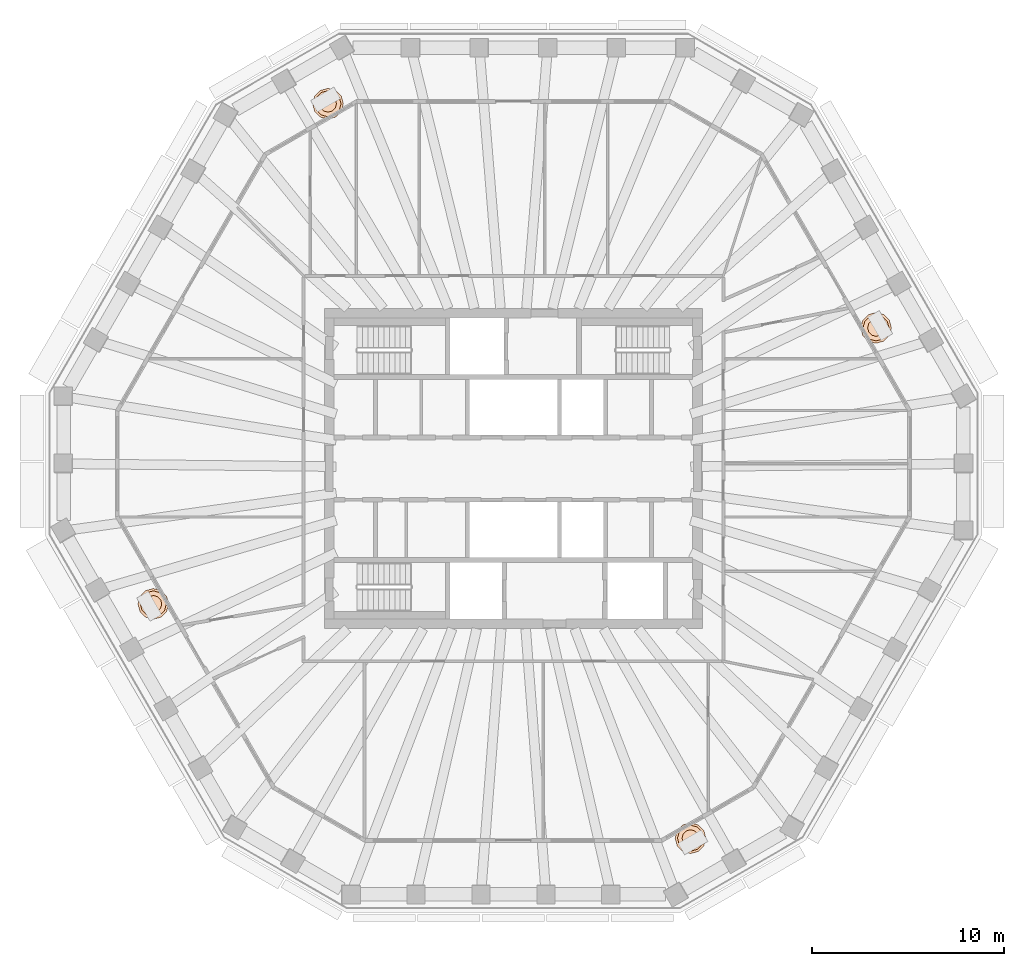
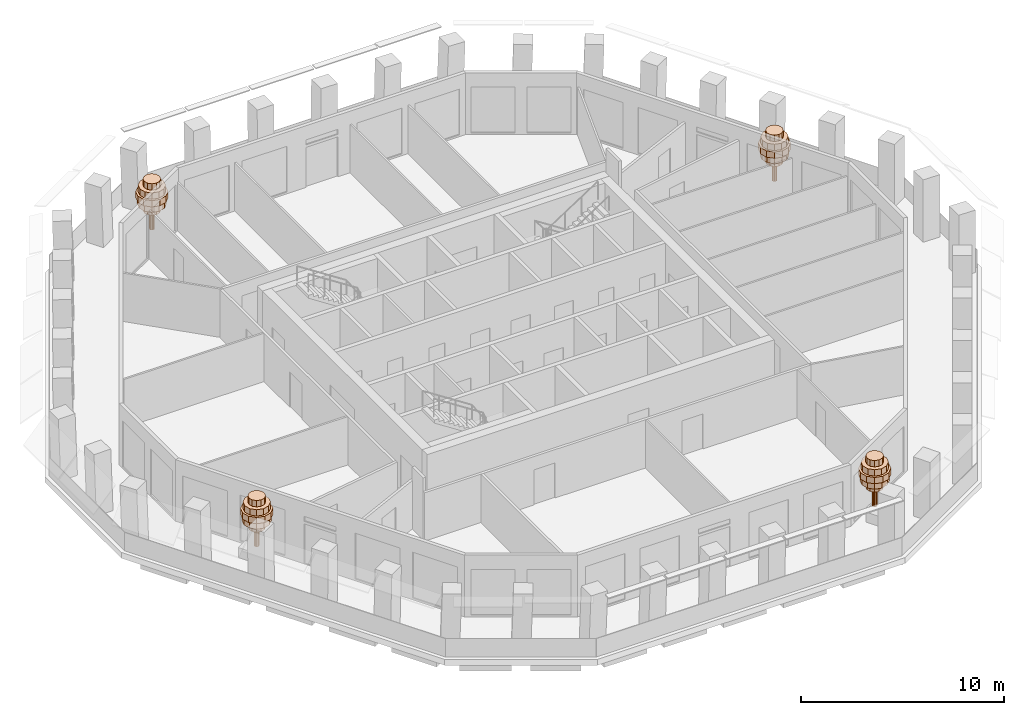
# One storey, part 12 of 12: 4 geographic elements.
"""IFC4 building model written with IfcOpenShell, lengths in metres."""

from ifc_helpers import new_model, si_unit, direction, frame, origin, place, context, subcontext, project, spatial, polyline, outline, extrude, material, type_object, element, save


model = new_model("IFC4")

# Units and contexts
model_context = context("Model", 3, precision=1e-05, world=origin(), true_north=direction((0.0, 1.0)))
body_context = subcontext(model_context, "Body", "Model", "MODEL_VIEW")
ifc_project = project(units=[si_unit("LENGTHUNIT", "METRE"), si_unit("AREAUNIT", "SQUARE_METRE"), si_unit("VOLUMEUNIT", "CUBIC_METRE"), si_unit("PLANEANGLEUNIT", "RADIAN"), si_unit("MASSUNIT", "GRAM", prefix="KILO")], contexts=[model_context])

# Site, building, storey
site_placement = place(None, origin())
site = spatial("IfcSite", under=ifc_project, at=site_placement, CompositionType="ELEMENT")
building_placement = place(site_placement, origin())
building = spatial("IfcBuilding", under=site, at=building_placement, Name="Frailejon Research Tower", CompositionType="ELEMENT")
storey_placement = place(building_placement, frame((0.0, 0.0, 271.0)))
storey = spatial("IfcBuildingStorey", under=building, at=storey_placement, Name="L59", CompositionType="ELEMENT", Elevation=271.0)

# Geographic elements
ifc_material = material(Name="Foliage, green")
geographic_element_type = type_object("IfcGeographicElementType", Name="Frailejon tree, loggia", PredefinedType="USERDEFINED", material=ifc_material)
geographic_element_1_placement = place(storey_placement, frame((18.9169921875, 7.33740234375, 0.60009765625)))
element("IfcGeographicElement", 1, at=geographic_element_1_placement, inside=storey, type_object=geographic_element_type, Name="Tree L59", ObjectType="TREE", PredefinedType="USERDEFINED", context=body_context, shape_type="SweptSolid", body=[
    extrude(outline(polyline([(0.1298828125, 0.0), (0.112548828125, 0.06494140625), (0.06494140625, 0.112548828125), (0.0, 0.1298828125), (-0.06494140625, 0.112548828125), (-0.112548828125, 0.06494140625), (-0.1298828125, 0.0), (-0.112548828125, -0.06494140625), (-0.06494140625, -0.112548828125), (0.0, -0.1298828125), (0.06494140625, -0.112548828125), (0.112548828125, -0.06494140625), (0.1298828125, 0.0)])), origin(), (0.0, 0.0, 1.0), 2.239990234375),
    extrude(outline(polyline([(0.43994140625, 0.0), (0.381103515625, 0.219970703125), (0.219970703125, 0.381103515625), (0.0, 0.43994140625), (-0.219970703125, 0.381103515625), (-0.381103515625, 0.219970703125), (-0.43994140625, 0.0), (-0.381103515625, -0.219970703125), (-0.219970703125, -0.381103515625), (0.0, -0.43994140625), (0.219970703125, -0.381103515625), (0.381103515625, -0.219970703125), (0.43994140625, 0.0)])), frame((0.0, 0.0, 1.10009765625)), (0.0, 0.0, 1.0), 0.3798828125),
    extrude(outline(polyline([(0.719970703125, 0.0), (0.62353515625, 0.360107421875), (0.360107421875, 0.62353515625), (0.0, 0.719970703125), (-0.360107421875, 0.62353515625), (-0.62353515625, 0.360107421875), (-0.719970703125, 0.0), (-0.62353515625, -0.360107421875), (-0.360107421875, -0.62353515625), (0.0, -0.719970703125), (0.360107421875, -0.62353515625), (0.62353515625, -0.360107421875), (0.719970703125, 0.0)])), frame((0.0, 0.0, 1.47998046875)), (0.0, 0.0, 1.0), 0.3798828125),
    extrude(outline(polyline([(0.800048828125, 0.0), (0.69287109375, 0.39990234375), (0.39990234375, 0.69287109375), (0.0, 0.800048828125), (-0.39990234375, 0.69287109375), (-0.69287109375, 0.39990234375), (-0.800048828125, 0.0), (-0.69287109375, -0.39990234375), (-0.39990234375, -0.69287109375), (0.0, -0.800048828125), (0.39990234375, -0.69287109375), (0.69287109375, -0.39990234375), (0.800048828125, 0.0)])), frame((0.0, 0.0, 1.860107421875)), (0.0, 0.0, 1.0), 0.3798828125),
    extrude(outline(polyline([(0.679931640625, 0.0), (0.5888671875, 0.340087890625), (0.340087890625, 0.5888671875), (0.0, 0.679931640625), (-0.340087890625, 0.5888671875), (-0.5888671875, 0.340087890625), (-0.679931640625, 0.0), (-0.5888671875, -0.340087890625), (-0.340087890625, -0.5888671875), (0.0, -0.679931640625), (0.340087890625, -0.5888671875), (0.5888671875, -0.340087890625), (0.679931640625, 0.0)])), frame((0.0, 0.0, 2.239990234375)), (0.0, 0.0, 1.0), 0.3798828125),
    extrude(outline(polyline([(0.43994140625, 0.0), (0.381103515625, 0.219970703125), (0.219970703125, 0.381103515625), (0.0, 0.43994140625), (-0.219970703125, 0.381103515625), (-0.381103515625, 0.219970703125), (-0.43994140625, 0.0), (-0.381103515625, -0.219970703125), (-0.219970703125, -0.381103515625), (0.0, -0.43994140625), (0.219970703125, -0.381103515625), (0.381103515625, -0.219970703125), (0.43994140625, 0.0)])), frame((0.0, 0.0, 2.6201171875)), (0.0, 0.0, 1.0), 0.3798828125),
])
geographic_element_2_placement = place(storey_placement, frame((-9.674072265625, 19.03173828125, 0.60009765625)))
element("IfcGeographicElement", 2, at=geographic_element_2_placement, inside=storey, type_object=geographic_element_type, Name="Tree L59", ObjectType="TREE", PredefinedType="USERDEFINED", context=body_context, shape_type="SweptSolid", body=[
    extrude(outline(polyline([(0.1298828125, 0.0), (0.112548828125, 0.06494140625), (0.06494140625, 0.112548828125), (0.0, 0.1298828125), (-0.06494140625, 0.112548828125), (-0.112548828125, 0.06494140625), (-0.1298828125, 0.0), (-0.112548828125, -0.06494140625), (-0.06494140625, -0.112548828125), (0.0, -0.1298828125), (0.06494140625, -0.112548828125), (0.112548828125, -0.06494140625), (0.1298828125, 0.0)])), origin(), (0.0, 0.0, 1.0), 2.239990234375),
    extrude(outline(polyline([(0.43994140625, 0.0), (0.381103515625, 0.219970703125), (0.219970703125, 0.381103515625), (0.0, 0.43994140625), (-0.219970703125, 0.381103515625), (-0.381103515625, 0.219970703125), (-0.43994140625, 0.0), (-0.381103515625, -0.219970703125), (-0.219970703125, -0.381103515625), (0.0, -0.43994140625), (0.219970703125, -0.381103515625), (0.381103515625, -0.219970703125), (0.43994140625, 0.0)])), frame((0.0, 0.0, 1.10009765625)), (0.0, 0.0, 1.0), 0.3798828125),
    extrude(outline(polyline([(0.719970703125, 0.0), (0.62353515625, 0.360107421875), (0.360107421875, 0.62353515625), (0.0, 0.719970703125), (-0.360107421875, 0.62353515625), (-0.62353515625, 0.360107421875), (-0.719970703125, 0.0), (-0.62353515625, -0.360107421875), (-0.360107421875, -0.62353515625), (0.0, -0.719970703125), (0.360107421875, -0.62353515625), (0.62353515625, -0.360107421875), (0.719970703125, 0.0)])), frame((0.0, 0.0, 1.47998046875)), (0.0, 0.0, 1.0), 0.3798828125),
    extrude(outline(polyline([(0.800048828125, 0.0), (0.69287109375, 0.39990234375), (0.39990234375, 0.69287109375), (0.0, 0.800048828125), (-0.39990234375, 0.69287109375), (-0.69287109375, 0.39990234375), (-0.800048828125, 0.0), (-0.69287109375, -0.39990234375), (-0.39990234375, -0.69287109375), (0.0, -0.800048828125), (0.39990234375, -0.69287109375), (0.69287109375, -0.39990234375), (0.800048828125, 0.0)])), frame((0.0, 0.0, 1.860107421875)), (0.0, 0.0, 1.0), 0.3798828125),
    extrude(outline(polyline([(0.679931640625, 0.0), (0.5888671875, 0.340087890625), (0.340087890625, 0.5888671875), (0.0, 0.679931640625), (-0.340087890625, 0.5888671875), (-0.5888671875, 0.340087890625), (-0.679931640625, 0.0), (-0.5888671875, -0.340087890625), (-0.340087890625, -0.5888671875), (0.0, -0.679931640625), (0.340087890625, -0.5888671875), (0.5888671875, -0.340087890625), (0.679931640625, 0.0)])), frame((0.0, 0.0, 2.239990234375)), (0.0, 0.0, 1.0), 0.3798828125),
    extrude(outline(polyline([(0.43994140625, 0.0), (0.381103515625, 0.219970703125), (0.219970703125, 0.381103515625), (0.0, 0.43994140625), (-0.219970703125, 0.381103515625), (-0.381103515625, 0.219970703125), (-0.43994140625, 0.0), (-0.381103515625, -0.219970703125), (-0.219970703125, -0.381103515625), (0.0, -0.43994140625), (0.219970703125, -0.381103515625), (0.381103515625, -0.219970703125), (0.43994140625, 0.0)])), frame((0.0, 0.0, 2.6201171875)), (0.0, 0.0, 1.0), 0.3798828125),
])
geographic_element_3_placement = place(storey_placement, frame((-18.78662109375, -7.060791015625, 0.60009765625)))
element("IfcGeographicElement", 3, at=geographic_element_3_placement, inside=storey, type_object=geographic_element_type, Name="Tree L59", ObjectType="TREE", PredefinedType="USERDEFINED", context=body_context, shape_type="SweptSolid", body=[
    extrude(outline(polyline([(0.1298828125, 0.0), (0.112548828125, 0.06494140625), (0.06494140625, 0.112548828125), (0.0, 0.1298828125), (-0.06494140625, 0.112548828125), (-0.112548828125, 0.06494140625), (-0.1298828125, 0.0), (-0.112548828125, -0.06494140625), (-0.06494140625, -0.112548828125), (0.0, -0.1298828125), (0.06494140625, -0.112548828125), (0.112548828125, -0.06494140625), (0.1298828125, 0.0)])), origin(), (0.0, 0.0, 1.0), 2.239990234375),
    extrude(outline(polyline([(0.43994140625, 0.0), (0.381103515625, 0.219970703125), (0.219970703125, 0.381103515625), (0.0, 0.43994140625), (-0.219970703125, 0.381103515625), (-0.381103515625, 0.219970703125), (-0.43994140625, 0.0), (-0.381103515625, -0.219970703125), (-0.219970703125, -0.381103515625), (0.0, -0.43994140625), (0.219970703125, -0.381103515625), (0.381103515625, -0.219970703125), (0.43994140625, 0.0)])), frame((0.0, 0.0, 1.10009765625)), (0.0, 0.0, 1.0), 0.3798828125),
    extrude(outline(polyline([(0.719970703125, 0.0), (0.62353515625, 0.360107421875), (0.360107421875, 0.62353515625), (0.0, 0.719970703125), (-0.360107421875, 0.62353515625), (-0.62353515625, 0.360107421875), (-0.719970703125, 0.0), (-0.62353515625, -0.360107421875), (-0.360107421875, -0.62353515625), (0.0, -0.719970703125), (0.360107421875, -0.62353515625), (0.62353515625, -0.360107421875), (0.719970703125, 0.0)])), frame((0.0, 0.0, 1.47998046875)), (0.0, 0.0, 1.0), 0.3798828125),
    extrude(outline(polyline([(0.800048828125, 0.0), (0.69287109375, 0.39990234375), (0.39990234375, 0.69287109375), (0.0, 0.800048828125), (-0.39990234375, 0.69287109375), (-0.69287109375, 0.39990234375), (-0.800048828125, 0.0), (-0.69287109375, -0.39990234375), (-0.39990234375, -0.69287109375), (0.0, -0.800048828125), (0.39990234375, -0.69287109375), (0.69287109375, -0.39990234375), (0.800048828125, 0.0)])), frame((0.0, 0.0, 1.860107421875)), (0.0, 0.0, 1.0), 0.3798828125),
    extrude(outline(polyline([(0.679931640625, 0.0), (0.5888671875, 0.340087890625), (0.340087890625, 0.5888671875), (0.0, 0.679931640625), (-0.340087890625, 0.5888671875), (-0.5888671875, 0.340087890625), (-0.679931640625, 0.0), (-0.5888671875, -0.340087890625), (-0.340087890625, -0.5888671875), (0.0, -0.679931640625), (0.340087890625, -0.5888671875), (0.5888671875, -0.340087890625), (0.679931640625, 0.0)])), frame((0.0, 0.0, 2.239990234375)), (0.0, 0.0, 1.0), 0.3798828125),
    extrude(outline(polyline([(0.43994140625, 0.0), (0.381103515625, 0.219970703125), (0.219970703125, 0.381103515625), (0.0, 0.43994140625), (-0.219970703125, 0.381103515625), (-0.381103515625, 0.219970703125), (-0.43994140625, 0.0), (-0.381103515625, -0.219970703125), (-0.219970703125, -0.381103515625), (0.0, -0.43994140625), (0.219970703125, -0.381103515625), (0.381103515625, -0.219970703125), (0.43994140625, 0.0)])), frame((0.0, 0.0, 2.6201171875)), (0.0, 0.0, 1.0), 0.3798828125),
])
geographic_element_4_placement = place(storey_placement, frame((9.238525390625, -19.283203125, 0.60009765625)))
element("IfcGeographicElement", 4, at=geographic_element_4_placement, inside=storey, type_object=geographic_element_type, Name="Tree L59", ObjectType="TREE", PredefinedType="USERDEFINED", context=body_context, shape_type="SweptSolid", body=[
    extrude(outline(polyline([(0.1298828125, 0.0), (0.112548828125, 0.06494140625), (0.06494140625, 0.112548828125), (0.0, 0.1298828125), (-0.06494140625, 0.112548828125), (-0.112548828125, 0.06494140625), (-0.1298828125, 0.0), (-0.112548828125, -0.06494140625), (-0.06494140625, -0.112548828125), (0.0, -0.1298828125), (0.06494140625, -0.112548828125), (0.112548828125, -0.06494140625), (0.1298828125, 0.0)])), origin(), (0.0, 0.0, 1.0), 2.239990234375),
    extrude(outline(polyline([(0.43994140625, 0.0), (0.381103515625, 0.219970703125), (0.219970703125, 0.381103515625), (0.0, 0.43994140625), (-0.219970703125, 0.381103515625), (-0.381103515625, 0.219970703125), (-0.43994140625, 0.0), (-0.381103515625, -0.219970703125), (-0.219970703125, -0.381103515625), (0.0, -0.43994140625), (0.219970703125, -0.381103515625), (0.381103515625, -0.219970703125), (0.43994140625, 0.0)])), frame((0.0, 0.0, 1.10009765625)), (0.0, 0.0, 1.0), 0.3798828125),
    extrude(outline(polyline([(0.719970703125, 0.0), (0.62353515625, 0.360107421875), (0.360107421875, 0.62353515625), (0.0, 0.719970703125), (-0.360107421875, 0.62353515625), (-0.62353515625, 0.360107421875), (-0.719970703125, 0.0), (-0.62353515625, -0.360107421875), (-0.360107421875, -0.62353515625), (0.0, -0.719970703125), (0.360107421875, -0.62353515625), (0.62353515625, -0.360107421875), (0.719970703125, 0.0)])), frame((0.0, 0.0, 1.47998046875)), (0.0, 0.0, 1.0), 0.3798828125),
    extrude(outline(polyline([(0.800048828125, 0.0), (0.69287109375, 0.39990234375), (0.39990234375, 0.69287109375), (0.0, 0.800048828125), (-0.39990234375, 0.69287109375), (-0.69287109375, 0.39990234375), (-0.800048828125, 0.0), (-0.69287109375, -0.39990234375), (-0.39990234375, -0.69287109375), (0.0, -0.800048828125), (0.39990234375, -0.69287109375), (0.69287109375, -0.39990234375), (0.800048828125, 0.0)])), frame((0.0, 0.0, 1.860107421875)), (0.0, 0.0, 1.0), 0.3798828125),
    extrude(outline(polyline([(0.679931640625, 0.0), (0.5888671875, 0.340087890625), (0.340087890625, 0.5888671875), (0.0, 0.679931640625), (-0.340087890625, 0.5888671875), (-0.5888671875, 0.340087890625), (-0.679931640625, 0.0), (-0.5888671875, -0.340087890625), (-0.340087890625, -0.5888671875), (0.0, -0.679931640625), (0.340087890625, -0.5888671875), (0.5888671875, -0.340087890625), (0.679931640625, 0.0)])), frame((0.0, 0.0, 2.239990234375)), (0.0, 0.0, 1.0), 0.3798828125),
    extrude(outline(polyline([(0.43994140625, 0.0), (0.381103515625, 0.219970703125), (0.219970703125, 0.381103515625), (0.0, 0.43994140625), (-0.219970703125, 0.381103515625), (-0.381103515625, 0.219970703125), (-0.43994140625, 0.0), (-0.381103515625, -0.219970703125), (-0.219970703125, -0.381103515625), (0.0, -0.43994140625), (0.219970703125, -0.381103515625), (0.381103515625, -0.219970703125), (0.43994140625, 0.0)])), frame((0.0, 0.0, 2.6201171875)), (0.0, 0.0, 1.0), 0.3798828125),
])

save(model, "model.ifc")
